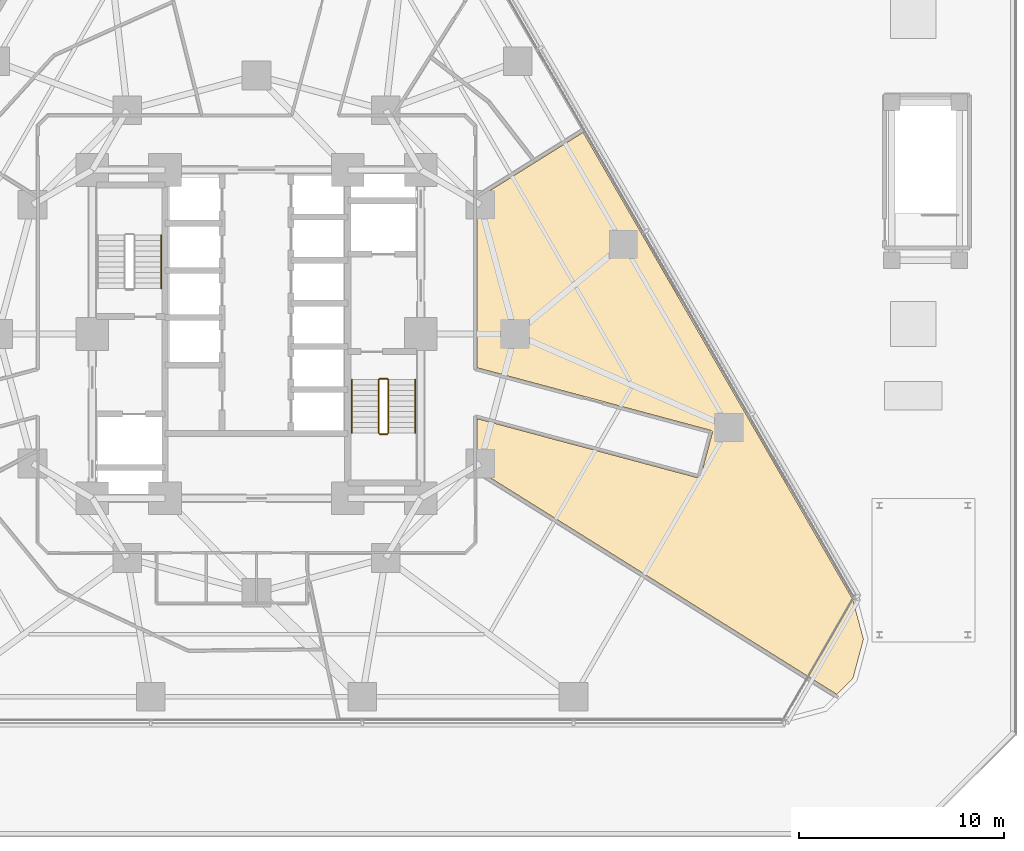
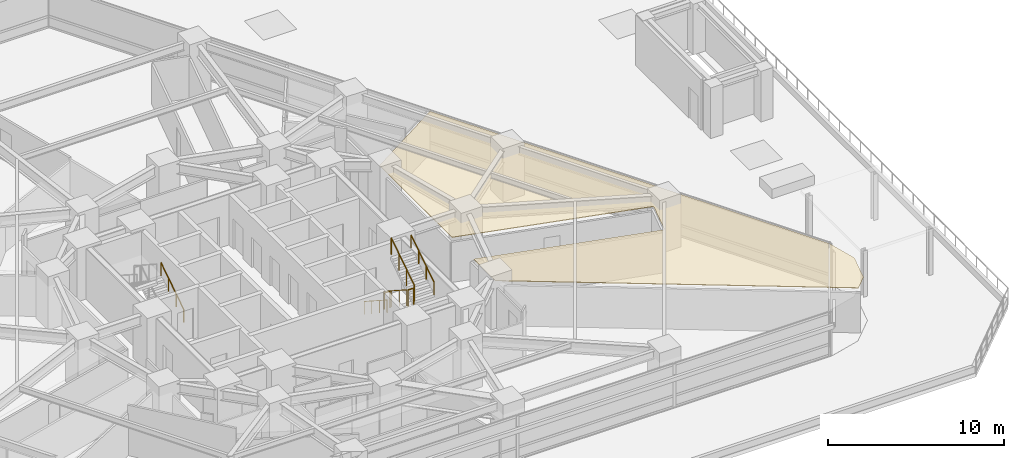
# One storey, part 22 of 23: 7 railings, 1 covering.
"""IFC4 building model written with IfcOpenShell, lengths in metres."""

import ifcopenshell
import ifcopenshell.guid

model = None  # the IFC model being written
_history = None  # IfcOwnerHistory: only IFC2X3 demands one
_inside = {}  # id of a spatial element -> (the spatial element, [elements in it])
_under = {}  # id of a project, library or spatial element -> (it, [spatial elements below it])
_declared = {}  # id of a project -> (the project, [libraries it declares])
_typed = {}  # id of a type object -> (the type object, [elements of that type])
_made_of = {}  # id of a material, layer set ... -> (it, [elements and type objects made of it])


def new_model(schema):
    """Start an empty IFC model of exactly this schema.

    Asked for "IFC4X3", IfcOpenShell would pick the latest addendum, in which some entities
    have other attributes; the version numbers below select the first issue.
    IFC2X3 requires an IfcOwnerHistory on every rooted entity: one is made here for all.
    """
    global model, _history
    if schema == "IFC4X3":
        model = ifcopenshell.file(schema_version=(4, 3, 0, 0))
    else:
        model = ifcopenshell.file(schema=schema)
    _inside.clear()
    _under.clear()
    _declared.clear()
    _typed.clear()
    _made_of.clear()
    _history = None
    if model.schema == "IFC2X3":
        org = make("IfcOrganization", Name="unknown")
        user = make(
            "IfcPersonAndOrganization",
            ThePerson=make("IfcPerson", FamilyName="unknown"),
            TheOrganization=org,
        )
        app = make(
            "IfcApplication",
            ApplicationDeveloper=org,
            Version="unknown",
            ApplicationFullName="unknown",
            ApplicationIdentifier="unknown",
        )
        _history = make(
            "IfcOwnerHistory",
            OwningUser=user,
            OwningApplication=app,
            ChangeAction="ADDED",
            CreationDate=0,
        )
    return model


def make(cls, **values):
    """One entity of the class cls with the attributes given. An attribute that is None is left unset."""
    return model.create_entity(
        cls, **{name: value for name, value in values.items() if value is not None}
    )


def rooted(cls, **values):
    """An entity with a GlobalId (a new one), such as an element, a storey or a relation."""
    return make(cls, GlobalId=ifcopenshell.guid.new(), OwnerHistory=_history, **values)


def si_unit(unit_type, name, prefix=None):
    """IfcSIUnit, for example si_unit("LENGTHUNIT", "METRE", prefix="MILLI")."""
    return make("IfcSIUnit", UnitType=unit_type, Prefix=prefix, Name=name)


def assignment(units):
    """IfcUnitAssignment: the units of a project."""
    return None if units is None else make("IfcUnitAssignment", Units=units)


def point(xyz):
    """IfcCartesianPoint."""
    return None if xyz is None else make("IfcCartesianPoint", Coordinates=xyz)


def direction(xyz):
    """IfcDirection."""
    return None if xyz is None else make("IfcDirection", DirectionRatios=xyz)


def frame(location, z_axis=None, x_axis=None):
    """IfcAxis2Placement3D, a coordinate frame: its origin and axes. An axis left out is left unset."""
    return make(
        "IfcAxis2Placement3D",
        Location=point(location),
        Axis=direction(z_axis),
        RefDirection=direction(x_axis),
    )


def frame_2d(location, x_axis=None):
    """IfcAxis2Placement2D, a coordinate frame in the plane: its origin and x axis."""
    return make(
        "IfcAxis2Placement2D", Location=point(location), RefDirection=direction(x_axis)
    )


def origin():
    """The frame at (0, 0, 0) with its axes left unset."""
    return frame((0.0, 0.0, 0.0))


def origin_2d():
    """The frame at (0, 0) in the plane with its x axis left unset."""
    return frame_2d((0.0, 0.0))


def place(relative_to, where):
    """IfcLocalPlacement: puts the frame where relative to a parent placement (None: the world)."""
    return make(
        "IfcLocalPlacement", PlacementRelTo=relative_to, RelativePlacement=where
    )


def context(
    kind, dimensions, precision=None, world=None, true_north=None, identifier=None
):
    """IfcGeometricRepresentationContext, for example the 3D "Model" context."""
    return make(
        "IfcGeometricRepresentationContext",
        ContextIdentifier=identifier,
        ContextType=kind,
        CoordinateSpaceDimension=dimensions,
        Precision=precision,
        WorldCoordinateSystem=world,
        TrueNorth=true_north,
    )


def subcontext(parent, identifier, kind, view, scale=None):
    """IfcGeometricRepresentationSubContext, for example "Body" below "Model"."""
    return make(
        "IfcGeometricRepresentationSubContext",
        ContextIdentifier=identifier,
        ContextType=kind,
        ParentContext=parent,
        TargetScale=scale,
        TargetView=view,
    )


def project(units=None, contexts=None):
    """IfcProject with its units and contexts."""
    return rooted(
        "IfcProject",
        Name="project",
        RepresentationContexts=contexts,
        UnitsInContext=assignment(units),
    )


def spatial(cls, under=None, at=None, **own):
    """A site, building, storey or space (cls), placed at a placement, below another one or the project."""
    s = rooted(cls, ObjectPlacement=at, **own)
    if under is not None:
        _under.setdefault(under.id(), (under, []))[1].append(s)
    return s


def polyline(points):
    """IfcPolyline through the points."""
    return make("IfcPolyline", Points=[point(p) for p in points])


def profile(cls, at=None, kind="AREA", **sizes):
    """A parametric profile (cls). Its sizes go by their IFC names, for example OverallWidth=200.0."""
    return make(cls, ProfileType=kind, Position=at, **sizes)


def circle(**sizes):
    """IfcCircleProfileDef."""
    return profile("IfcCircleProfileDef", **sizes)


def outline(outer, holes=None, kind="AREA"):
    """IfcArbitraryClosedProfileDef: a profile drawn as a closed curve; with holes, ...WithVoids."""
    if holes is None:
        return make("IfcArbitraryClosedProfileDef", ProfileType=kind, OuterCurve=outer)
    return make(
        "IfcArbitraryProfileDefWithVoids",
        ProfileType=kind,
        OuterCurve=outer,
        InnerCurves=holes,
    )


def extrude(swept, where, along, depth):
    """IfcExtrudedAreaSolid: the profile swept, set in the frame where, extruded along a direction by depth."""
    return make(
        "IfcExtrudedAreaSolid",
        SweptArea=swept,
        Position=where,
        ExtrudedDirection=direction(along),
        Depth=depth,
    )


def shape(context_of_items, identifier, shape_type, items):
    """IfcShapeRepresentation: the items that make up one representation, for example the "Body"."""
    return make(
        "IfcShapeRepresentation",
        ContextOfItems=context_of_items,
        RepresentationIdentifier=identifier,
        RepresentationType=shape_type,
        Items=items,
    )


def material(Name=None, Category=None):
    """IfcMaterial."""
    return make("IfcMaterial", Name=Name, Category=Category)


def layer(
    of_material, thickness, ventilated=None, Name=None, Category=None, Priority=None
):
    """IfcMaterialLayer: one layer of a wall or slab, of a material (None: an air gap)."""
    return make(
        "IfcMaterialLayer",
        Material=of_material,
        LayerThickness=thickness,
        IsVentilated=ventilated,
        Name=Name,
        Category=Category,
        Priority=Priority,
    )


def layer_set(layers, Name=None):
    """IfcMaterialLayerSet."""
    return make("IfcMaterialLayerSet", MaterialLayers=layers, LayerSetName=Name)


def made_of(thing, what):
    """Note that an element or type object is made of a material, layer set ...; save() writes the relation."""
    if what is not None:
        _made_of.setdefault(what.id(), (what, []))[1].append(thing)
    return thing


def type_object(cls, material=None, **own):
    """A type object (cls), such as IfcWallType, which elements share."""
    return made_of(rooted(cls, **own), material)


def element(
    cls,
    number,
    at=None,
    inside=None,
    cuts=None,
    type_object=None,
    material=None,
    context=None,
    identifier="Body",
    shape_type=None,
    held_by="IfcProductDefinitionShape",
    body=None,
    shapes=None,
    **own,
):
    """One element of the class cls, such as IfcWall. Its Tag is "e" and its number.

    at: its placement. inside: the storey or other place that contains it. cuts: it is an
    opening in that element (IfcRelVoidsElement). A single representation is given by context,
    identifier, shape_type and body (its items); several are given by shapes. held_by: the class
    of the entity that holds the representations. save() writes the other relations.
    """
    e = rooted(cls, Tag="e%d" % number, ObjectPlacement=at, **own)
    if body is not None:
        shapes = [shape(context, identifier, shape_type, body)]
    if shapes is not None:
        e.Representation = make(held_by, Representations=shapes)
    if inside is not None:
        _inside.setdefault(inside.id(), (inside, []))[1].append(e)
    if cuts is not None:
        rooted(
            "IfcRelVoidsElement", RelatingBuildingElement=cuts, RelatedOpeningElement=e
        )
    if type_object is not None:
        _typed.setdefault(type_object.id(), (type_object, []))[1].append(e)
    return made_of(e, material)


def aggregate(whole, parts):
    """IfcRelAggregates: a whole, such as a stair, and the parts it consists of."""
    return rooted("IfcRelAggregates", RelatingObject=whole, RelatedObjects=parts)


def save(model, path):
    """Write the relations noted so far, then the file.

    IfcRelAggregates (storeys below a building ...), IfcRelContainedInSpatialStructure (elements
    in a storey), IfcRelDefinesByType, IfcRelAssociatesMaterial and IfcRelDeclares: one each for
    every whole, place, type object, material and project.
    """
    for whole, parts in _under.values():
        aggregate(whole, parts)
    for where, things in _inside.values():
        rooted(
            "IfcRelContainedInSpatialStructure",
            RelatedElements=things,
            RelatingStructure=where,
        )
    for kind, things in _typed.values():
        rooted("IfcRelDefinesByType", RelatedObjects=things, RelatingType=kind)
    for what, things in _made_of.values():
        rooted("IfcRelAssociatesMaterial", RelatedObjects=things, RelatingMaterial=what)
    for by, libraries in _declared.values():
        rooted("IfcRelDeclares", RelatingContext=by, RelatedDefinitions=libraries)
    model.write(path)


model = new_model("IFC4")

# Units and contexts
model_context = context("Model", 3, precision=1e-05, world=origin(), true_north=direction((0.0, 1.0)))
body_context = subcontext(model_context, "Body", "Model", "MODEL_VIEW")
ifc_project = project(units=[si_unit("LENGTHUNIT", "METRE"), si_unit("AREAUNIT", "SQUARE_METRE"), si_unit("VOLUMEUNIT", "CUBIC_METRE"), si_unit("PLANEANGLEUNIT", "RADIAN"), si_unit("MASSUNIT", "GRAM", prefix="KILO")], contexts=[model_context])

# Site, building, storey
site_placement = place(None, origin())
site = spatial("IfcSite", under=ifc_project, at=site_placement, CompositionType="ELEMENT")
building_placement = place(site_placement, origin())
building = spatial("IfcBuilding", under=site, at=building_placement, Name="Terralouvre Media Tower", CompositionType="ELEMENT")
storey_placement = place(building_placement, frame((0.0, 0.0, 26.0)))
storey = spatial("IfcBuildingStorey", under=building, at=storey_placement, Name="L05", CompositionType="ELEMENT", Elevation=26.0)

# Covering
ifc_material_1 = material(Name="Perforated aluminium acoustic ceiling baffle", Category="aluminium")
ifc_layer_1 = layer(ifc_material_1, 0.0400390625, Name="Perforated Acoustic Metal Tile Ceiling CL-AC1")
ifc_layer_set_1 = layer_set([ifc_layer_1], Name="Perforated aluminium acoustic ceiling baffle")
covering_type = type_object("IfcCoveringType", Name="Perforated Acoustic Metal Tile Ceiling CL-AC1", PredefinedType="CEILING", material=ifc_layer_set_1)
covering_placement = place(storey_placement, frame((0.0, 0.0, 2.97998046875)))
element("IfcCovering", 1, at=covering_placement, inside=storey, type_object=covering_type, Name="L05 Live Wire Newsroom Open Office 1 Acoustic Ceiling", PredefinedType="CEILING", context=body_context, shape_type="SweptSolid", body=[
    extrude(outline(polyline([(10.75, 6.599609375), (10.75, -1.63818359375), (22.140869140625, -4.6904296875), (22.150146484375, -4.693359375), (22.1591796875, -4.697265625), (22.167724609375, -4.7021484375), (22.17578125, -4.707763671875), (22.183349609375, -4.714111328125), (22.190185546875, -4.72119140625), (22.1962890625, -4.728759765625), (22.20166015625, -4.737060546875), (22.2060546875, -4.74560546875), (22.209716796875, -4.7548828125), (22.21240234375, -4.764404296875), (22.214111328125, -4.77392578125), (22.21484375, -4.78369140625), (22.21484375, -4.793701171875), (22.213623046875, -4.80322265625), (22.211669921875, -4.81298828125), (21.6416015625, -6.93798828125), (21.638671875, -6.947265625), (21.634765625, -6.956298828125), (21.6298828125, -6.96484375), (21.624267578125, -6.972900390625), (21.617919921875, -6.98046875), (21.61083984375, -6.9873046875), (21.603271484375, -6.993408203125), (21.594970703125, -6.99853515625), (21.586181640625, -7.003173828125), (21.5771484375, -7.006591796875), (21.567626953125, -7.009521484375), (21.55810546875, -7.010986328125), (21.54833984375, -7.011962890625), (21.53857421875, -7.01171875), (21.52880859375, -7.0107421875), (21.51904296875, -7.008544921875), (10.75, -4.122314453125), (10.75, -6.599609375), (28.28271484375, -17.55517578125), (29.060302734375, -16.7783203125), (29.572509765625, -14.866943359375), (29.052734375, -12.926513671875), (15.915283203125, 9.827392578125), (13.5810546875, 8.3681640625), (10.75, 6.599609375)])), origin(), (0.0, 0.0, 1.0), 0.0400390625),
])

# Railings
ifc_material_2 = material(Name="Stainless steel 316 handrail and balustrade", Category="steel")
ifc_layer_2 = layer(ifc_material_2, 0.050048828125, Name="Stair Flight Wall Handrail HR-INT1")
ifc_layer_set_2 = layer_set([ifc_layer_2], Name="Stainless steel 316 handrail and balustrade")
railing_type_1 = type_object("IfcRailingType", Name="Stair Flight Wall Handrail HR-INT1", PredefinedType="HANDRAIL", material=ifc_layer_set_2)
railing_1_placement = place(storey_placement, frame((-4.64990234375, 2.219970703125, 0.168212890625)))
element("IfcRailing", 2, at=railing_1_placement, inside=storey, type_object=railing_type_1, Name="L05 ST-01 stair handrail 1", PredefinedType="HANDRAIL", context=body_context, shape_type="SweptSolid", body=[
    extrude(circle(Radius=0.02392578125, at=origin_2d()), frame((0.0, 0.0, 0.8759765625), z_axis=(0.0, 0.839648411786, 0.543130320075), x_axis=(-1.0, 0.0, 0.0)), (0.0, 0.0, 1.0), 3.0966796875),
    extrude(circle(Radius=0.02099609375, at=origin_2d()), origin(), (0.0, 0.0, 1.0), 0.851806640625),
    extrude(circle(Radius=0.02099609375, at=origin_2d()), frame((0.0, 0.86669921875, 0.560546875)), (0.0, 0.0, 1.0), 0.851806640625),
    extrude(circle(Radius=0.02099609375, at=origin_2d()), frame((0.0, 1.7333984375, 1.121337890625)), (0.0, 0.0, 1.0), 0.851806640625),
    extrude(circle(Radius=0.02099609375, at=origin_2d()), frame((0.0, 2.60009765625, 1.681884765625)), (0.0, 0.0, 1.0), 0.851806640625),
])
railing_2_placement = place(storey_placement, frame((4.64990234375, -2.219970703125, 0.168212890625)))
element("IfcRailing", 3, at=railing_2_placement, inside=storey, type_object=railing_type_1, Name="L05 ST-02 stair handrail 1", PredefinedType="HANDRAIL", context=body_context, shape_type="SweptSolid", body=[
    extrude(circle(Radius=0.02392578125, at=origin_2d()), frame((0.0, 0.0, 0.8759765625), z_axis=(0.0, -0.839648411786, 0.543130320075), x_axis=(1.0, 0.0, 0.0)), (0.0, 0.0, 1.0), 3.0966796875),
    extrude(circle(Radius=0.02099609375, at=origin_2d()), origin(), (0.0, 0.0, 1.0), 0.851806640625),
    extrude(circle(Radius=0.02099609375, at=origin_2d()), frame((0.0, -0.86669921875, 0.560546875)), (0.0, 0.0, 1.0), 0.851806640625),
    extrude(circle(Radius=0.02099609375, at=origin_2d()), frame((0.0, -1.7333984375, 1.121337890625)), (0.0, 0.0, 1.0), 0.851806640625),
    extrude(circle(Radius=0.02099609375, at=origin_2d()), frame((0.0, -2.60009765625, 1.681884765625)), (0.0, 0.0, 1.0), 0.851806640625),
])
railing_3_placement = place(storey_placement, frame((7.72998046875, -4.820068359375, 2.01806640625)))
element("IfcRailing", 4, at=railing_3_placement, inside=storey, type_object=railing_type_1, Name="L05 ST-02 stair handrail 2", PredefinedType="HANDRAIL", context=body_context, shape_type="SweptSolid", body=[
    extrude(circle(Radius=0.02392578125, at=origin_2d()), frame((0.0, 0.0, 0.8759765625), z_axis=(0.0, 0.839648411786, 0.543130320075), x_axis=(-1.0, 0.0, 0.0)), (0.0, 0.0, 1.0), 3.0966796875),
    extrude(circle(Radius=0.02099609375, at=origin_2d()), origin(), (0.0, 0.0, 1.0), 0.851806640625),
    extrude(circle(Radius=0.02099609375, at=origin_2d()), frame((0.0, 0.86669921875, 0.560546875)), (0.0, 0.0, 1.0), 0.851806640625),
    extrude(circle(Radius=0.02099609375, at=origin_2d()), frame((0.0, 1.7333984375, 1.121337890625)), (0.0, 0.0, 1.0), 0.851806640625),
    extrude(circle(Radius=0.02099609375, at=origin_2d()), frame((0.0, 2.60009765625, 1.681884765625)), (0.0, 0.0, 1.0), 0.851806640625),
])
ifc_material_3 = material(Name="Stainless steel 316 handrail and balustrade", Category="steel")
ifc_layer_3 = layer(ifc_material_3, 0.050048828125, Name="Stairwell Safety Guardrail GR-INT1")
ifc_layer_set_3 = layer_set([ifc_layer_3], Name="Stainless steel 316 handrail and balustrade")
railing_type_2 = type_object("IfcRailingType", Name="Stairwell Safety Guardrail GR-INT1", PredefinedType="GUARDRAIL", material=ifc_layer_set_3)
railing_4_placement = place(storey_placement, frame((5.949951171875, -2.219970703125, 0.168212890625)))
element("IfcRailing", 5, at=railing_4_placement, inside=storey, type_object=railing_type_2, Name="L05 ST-02 stair guard 1", PredefinedType="GUARDRAIL", context=body_context, shape_type="SweptSolid", body=[
    extrude(circle(Radius=0.02392578125, at=origin_2d()), frame((0.0, 0.0, 1.1259765625), z_axis=(0.0, -0.839648411786, 0.543130320075), x_axis=(1.0, 0.0, 0.0)), (0.0, 0.0, 1.0), 3.0966796875),
    extrude(circle(Radius=0.02099609375, at=origin_2d()), origin(), (0.0, 0.0, 1.0), 1.101806640625),
    extrude(circle(Radius=0.02099609375, at=origin_2d()), frame((0.0, -0.86669921875, 0.560546875)), (0.0, 0.0, 1.0), 1.101806640625),
    extrude(circle(Radius=0.02099609375, at=origin_2d()), frame((0.0, -1.7333984375, 1.121337890625)), (0.0, 0.0, 1.0), 1.101806640625),
    extrude(circle(Radius=0.02099609375, at=origin_2d()), frame((0.0, -2.60009765625, 1.681884765625)), (0.0, 0.0, 1.0), 1.101806640625),
])
railing_5_placement = place(storey_placement, frame((6.0, -4.8701171875, 1.85009765625)))
element("IfcRailing", 6, at=railing_5_placement, inside=storey, type_object=railing_type_2, Name="L05 ST-02 stair guard 2", PredefinedType="GUARDRAIL", context=body_context, shape_type="SweptSolid", body=[
    extrude(circle(Radius=0.02392578125, at=origin_2d()), frame((0.0, 0.0, 1.1259765625), z_axis=(1.0, 0.0, 0.0), x_axis=(0.0, 1.0, 0.0)), (0.0, 0.0, 1.0), 0.3798828125),
    extrude(circle(Radius=0.02099609375, at=origin_2d()), origin(), (0.0, 0.0, 1.0), 1.101806640625),
    extrude(circle(Radius=0.02099609375, at=origin_2d()), frame((0.3798828125, 0.0, 0.0)), (0.0, 0.0, 1.0), 1.101806640625),
])
railing_6_placement = place(storey_placement, frame((6.429931640625, -4.820068359375, 2.01806640625)))
element("IfcRailing", 7, at=railing_6_placement, inside=storey, type_object=railing_type_2, Name="L05 ST-02 stair guard 3", PredefinedType="GUARDRAIL", context=body_context, shape_type="SweptSolid", body=[
    extrude(circle(Radius=0.02392578125, at=origin_2d()), frame((0.0, 0.0, 1.1259765625), z_axis=(0.0, 0.839648411786, 0.543130320075), x_axis=(-1.0, 0.0, 0.0)), (0.0, 0.0, 1.0), 3.0966796875),
    extrude(circle(Radius=0.02099609375, at=origin_2d()), origin(), (0.0, 0.0, 1.0), 1.101806640625),
    extrude(circle(Radius=0.02099609375, at=origin_2d()), frame((0.0, 0.86669921875, 0.560546875)), (0.0, 0.0, 1.0), 1.101806640625),
    extrude(circle(Radius=0.02099609375, at=origin_2d()), frame((0.0, 1.7333984375, 1.121337890625)), (0.0, 0.0, 1.0), 1.101806640625),
    extrude(circle(Radius=0.02099609375, at=origin_2d()), frame((0.0, 2.60009765625, 1.681884765625)), (0.0, 0.0, 1.0), 1.101806640625),
])
railing_7_placement = place(storey_placement, frame((6.0, -2.169921875, 0.0)))
element("IfcRailing", 8, at=railing_7_placement, inside=storey, type_object=railing_type_2, Name="L05 ST-02 stair guard 4", PredefinedType="GUARDRAIL", context=body_context, shape_type="SweptSolid", body=[
    extrude(circle(Radius=0.02392578125, at=origin_2d()), frame((0.0, 0.0, 1.1259765625), z_axis=(1.0, 0.0, 0.0), x_axis=(0.0, 1.0, 0.0)), (0.0, 0.0, 1.0), 0.3798828125),
    extrude(circle(Radius=0.02099609375, at=origin_2d()), origin(), (0.0, 0.0, 1.0), 1.101806640625),
    extrude(circle(Radius=0.02099609375, at=origin_2d()), frame((0.3798828125, 0.0, 0.0)), (0.0, 0.0, 1.0), 1.101806640625),
])

save(model, "model.ifc")
